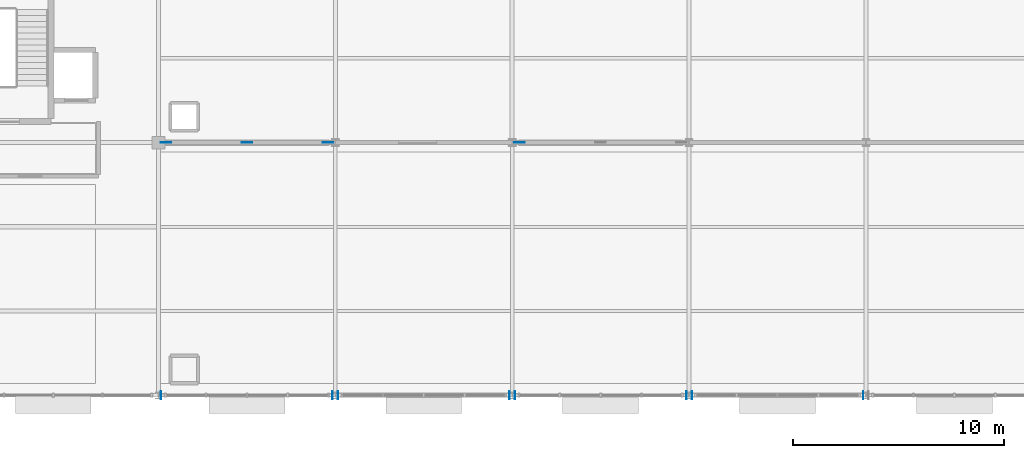
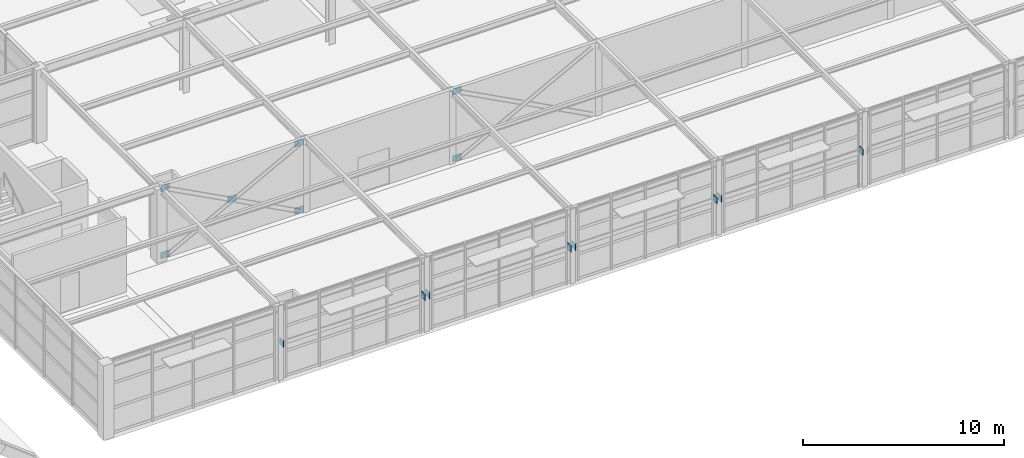
# One storey, part 57 of 82: 15 plates.
"""IFC4 building model written with IfcOpenShell, lengths in metres."""

from ifc_helpers import new_model, si_unit, direction, frame, origin, origin_2d, place, context, subcontext, project, spatial, rectangle, extrude, material, layer, layer_set, type_object, element, save


model = new_model("IFC4")

# Units and contexts
model_context = context("Model", 3, precision=1e-05, world=origin(), true_north=direction((0.0, 1.0)))
body_context = subcontext(model_context, "Body", "Model", "MODEL_VIEW")
ifc_project = project(units=[si_unit("LENGTHUNIT", "METRE"), si_unit("AREAUNIT", "SQUARE_METRE"), si_unit("VOLUMEUNIT", "CUBIC_METRE"), si_unit("PLANEANGLEUNIT", "RADIAN"), si_unit("MASSUNIT", "GRAM", prefix="KILO")], contexts=[model_context])

# Site, building, storey
site_placement = place(None, origin())
site = spatial("IfcSite", under=ifc_project, at=site_placement, CompositionType="ELEMENT")
building_placement = place(site_placement, origin())
building = spatial("IfcBuilding", under=site, at=building_placement, Name="Sitalva Quay Ferry Terminal", CompositionType="ELEMENT")
storey_placement = place(building_placement, frame((0.0, 0.0, 5.39990234375)))
storey = spatial("IfcBuildingStorey", under=building, at=storey_placement, Name="L02", CompositionType="ELEMENT", Elevation=5.39990234375)

# Plates
ifc_material_1 = material(Name="Structural Steel S355JR", Category="steel")
ifc_layer_1 = layer(ifc_material_1, 0.02001953125)
ifc_layer_set_1 = layer_set([ifc_layer_1], Name="Structural Steel S355JR")
plate_type_1 = type_object("IfcPlateType", Name="Gusset_400x400x20", PredefinedType="USERDEFINED", material=ifc_layer_set_1)
for number, where, z_axis, x_axis, name in (
    (1, (84.1298828125, 6.0, 1.9501953125), (0.0, 0.0, 1.0), (1.0, 0.0, 0.0), "Promenade spandrel 01 west end plate"),
    (2, (92.27001953125, 6.0, 1.9501953125), (0.0, 0.0, 1.0), (1.0, 0.0, 0.0), "Promenade spandrel 01 east end plate"),
    (3, (92.530029296875, 6.0, 1.9501953125), (0.0, 0.0, 1.0), (1.0, 0.0, 0.0), "Promenade spandrel 02 west end plate"),
    (4, (100.669921875, 6.0, 1.9501953125), (0.0, 0.0, 1.0), (1.0, 0.0, 0.0), "Promenade spandrel 02 east end plate"),
    (5, (100.929931640625, 6.0, 1.9501953125), (0.0, 0.0, 1.0), (1.0, 0.0, 0.0), "Promenade spandrel 03 west end plate"),
    (6, (109.070068359375, 6.0, 1.9501953125), (0.0, 0.0, 1.0), (1.0, 0.0, 0.0), "Promenade spandrel 03 east end plate"),
    (7, (109.330078125, 6.0, 1.9501953125), (0.0, 0.0, 1.0), (1.0, 0.0, 0.0), "Promenade spandrel 04 west end plate"),
    (8, (117.469970703125, 6.0, 1.9501953125), (0.0, 0.0, 1.0), (1.0, 0.0, 0.0), "Promenade spandrel 04 east end plate"),
):
    element("IfcPlate", number, at=place(storey_placement, frame(where, z_axis=z_axis, x_axis=x_axis)), inside=storey, type_object=plate_type_1, Name=name, ObjectType="FLANGE_PLATE", PredefinedType="USERDEFINED", context=body_context, shape_type="SweptSolid", body=[
        extrude(rectangle(XDim=0.02001953125, YDim=0.39990234375, at=origin_2d()), origin(), (0.0, 0.0, 1.0), 0.39990234375),
    ])
ifc_material_2 = material(Name="Structural Steel S355JR", Category="steel")
ifc_layer_2 = layer(ifc_material_2, 0.028076171875)
ifc_layer_set_2 = layer_set([ifc_layer_2], Name="Structural Steel S355JR")
plate_type_2 = type_object("IfcPlateType", Name="Gusset_500x380x28", PredefinedType="USERDEFINED", material=ifc_layer_set_2)
for number, where, z_axis, x_axis, name in (
    (9, (88.199951171875, 18.0, 2.000244140625), (0.0, 0.0, 1.0), (1.0, 0.0, 0.0), "Braced frame BF7 L02 XNODE gusset"),
    (10, (84.35009765625, 18.0, -0.039794921875), (0.0, 0.0, 1.0), (1.0, 0.0, 0.0), "Braced frame BF7 L02 SW gusset"),
    (11, (84.35009765625, 18.0, 4.0400390625), (0.0, 0.0, 1.0), (1.0, 0.0, 0.0), "Braced frame BF7 L02 NW gusset"),
    (12, (92.050048828125, 18.0, -0.039794921875), (0.0, 0.0, 1.0), (1.0, 0.0, 0.0), "Braced frame BF7 L02 SE gusset"),
    (13, (92.050048828125, 18.0, 4.0400390625), (0.0, 0.0, 1.0), (1.0, 0.0, 0.0), "Braced frame BF7 L02 NE gusset"),
    (14, (101.14990234375, 18.0, -0.039794921875), (0.0, 0.0, 1.0), (1.0, 0.0, 0.0), "Braced frame BF8 L02 SW gusset"),
    (15, (101.14990234375, 18.0, 4.0400390625), (0.0, 0.0, 1.0), (1.0, 0.0, 0.0), "Braced frame BF8 L02 NW gusset"),
):
    element("IfcPlate", number, at=place(storey_placement, frame(where, z_axis=z_axis, x_axis=x_axis)), inside=storey, type_object=plate_type_2, Name=name, ObjectType="FLANGE_PLATE", PredefinedType="USERDEFINED", context=body_context, shape_type="SweptSolid", body=[
        extrude(rectangle(XDim=0.5, YDim=0.028076171875, at=origin_2d()), origin(), (0.0, 0.0, 1.0), 0.3798828125),
    ])

save(model, "model.ifc")
